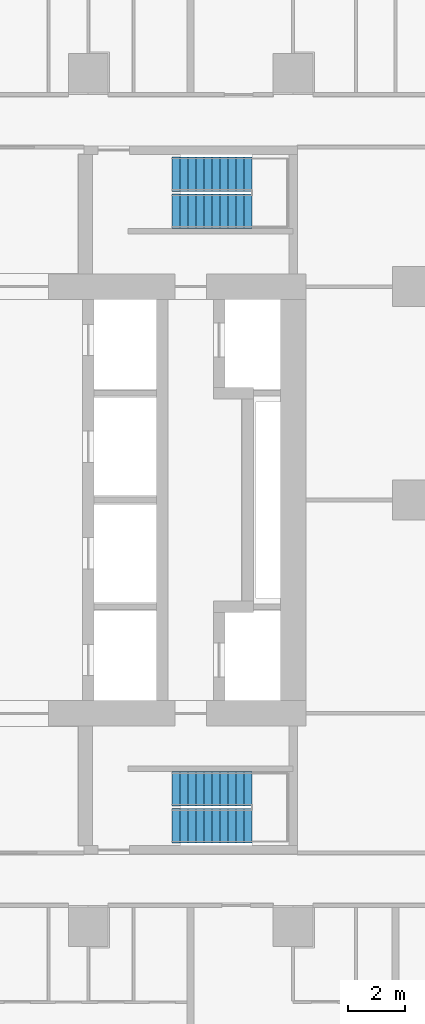
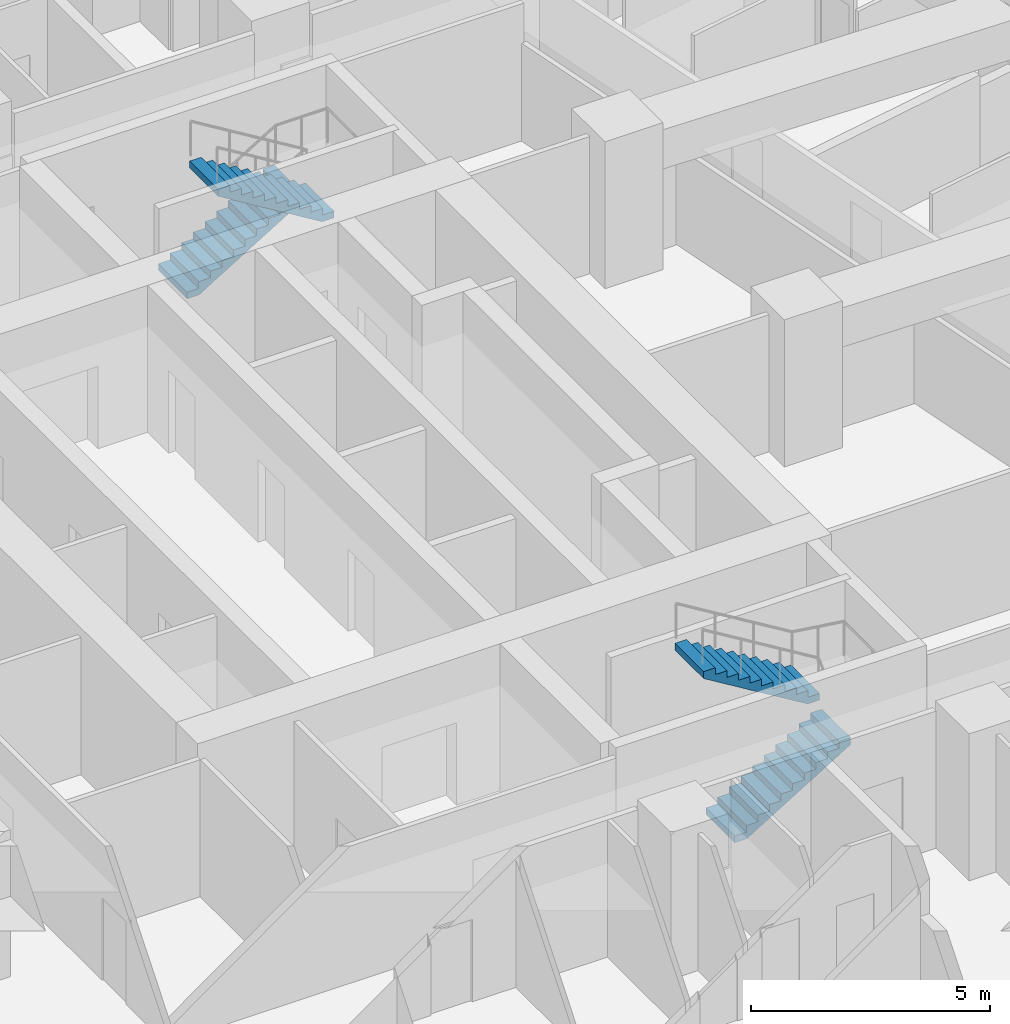
# One storey, part 18 of 19: 4 stair flights, 2 elements without a shape of their own.
"""IFC4 building model written with IfcOpenShell, lengths in metres."""

import ifcopenshell
import ifcopenshell.guid

model = None  # the IFC model being written
_history = None  # IfcOwnerHistory: only IFC2X3 demands one
_inside = {}  # id of a spatial element -> (the spatial element, [elements in it])
_under = {}  # id of a project, library or spatial element -> (it, [spatial elements below it])
_declared = {}  # id of a project -> (the project, [libraries it declares])
_typed = {}  # id of a type object -> (the type object, [elements of that type])
_made_of = {}  # id of a material, layer set ... -> (it, [elements and type objects made of it])


def new_model(schema):
    """Start an empty IFC model of exactly this schema.

    Asked for "IFC4X3", IfcOpenShell would pick the latest addendum, in which some entities
    have other attributes; the version numbers below select the first issue.
    IFC2X3 requires an IfcOwnerHistory on every rooted entity: one is made here for all.
    """
    global model, _history
    if schema == "IFC4X3":
        model = ifcopenshell.file(schema_version=(4, 3, 0, 0))
    else:
        model = ifcopenshell.file(schema=schema)
    _inside.clear()
    _under.clear()
    _declared.clear()
    _typed.clear()
    _made_of.clear()
    _history = None
    if model.schema == "IFC2X3":
        org = make("IfcOrganization", Name="unknown")
        user = make(
            "IfcPersonAndOrganization",
            ThePerson=make("IfcPerson", FamilyName="unknown"),
            TheOrganization=org,
        )
        app = make(
            "IfcApplication",
            ApplicationDeveloper=org,
            Version="unknown",
            ApplicationFullName="unknown",
            ApplicationIdentifier="unknown",
        )
        _history = make(
            "IfcOwnerHistory",
            OwningUser=user,
            OwningApplication=app,
            ChangeAction="ADDED",
            CreationDate=0,
        )
    return model


def make(cls, **values):
    """One entity of the class cls with the attributes given. An attribute that is None is left unset."""
    return model.create_entity(
        cls, **{name: value for name, value in values.items() if value is not None}
    )


def rooted(cls, **values):
    """An entity with a GlobalId (a new one), such as an element, a storey or a relation."""
    return make(cls, GlobalId=ifcopenshell.guid.new(), OwnerHistory=_history, **values)


def si_unit(unit_type, name, prefix=None):
    """IfcSIUnit, for example si_unit("LENGTHUNIT", "METRE", prefix="MILLI")."""
    return make("IfcSIUnit", UnitType=unit_type, Prefix=prefix, Name=name)


def assignment(units):
    """IfcUnitAssignment: the units of a project."""
    return None if units is None else make("IfcUnitAssignment", Units=units)


def point(xyz):
    """IfcCartesianPoint."""
    return None if xyz is None else make("IfcCartesianPoint", Coordinates=xyz)


def direction(xyz):
    """IfcDirection."""
    return None if xyz is None else make("IfcDirection", DirectionRatios=xyz)


def frame(location, z_axis=None, x_axis=None):
    """IfcAxis2Placement3D, a coordinate frame: its origin and axes. An axis left out is left unset."""
    return make(
        "IfcAxis2Placement3D",
        Location=point(location),
        Axis=direction(z_axis),
        RefDirection=direction(x_axis),
    )


def origin():
    """The frame at (0, 0, 0) with its axes left unset."""
    return frame((0.0, 0.0, 0.0))


def place(relative_to, where):
    """IfcLocalPlacement: puts the frame where relative to a parent placement (None: the world)."""
    return make(
        "IfcLocalPlacement", PlacementRelTo=relative_to, RelativePlacement=where
    )


def context(
    kind, dimensions, precision=None, world=None, true_north=None, identifier=None
):
    """IfcGeometricRepresentationContext, for example the 3D "Model" context."""
    return make(
        "IfcGeometricRepresentationContext",
        ContextIdentifier=identifier,
        ContextType=kind,
        CoordinateSpaceDimension=dimensions,
        Precision=precision,
        WorldCoordinateSystem=world,
        TrueNorth=true_north,
    )


def subcontext(parent, identifier, kind, view, scale=None):
    """IfcGeometricRepresentationSubContext, for example "Body" below "Model"."""
    return make(
        "IfcGeometricRepresentationSubContext",
        ContextIdentifier=identifier,
        ContextType=kind,
        ParentContext=parent,
        TargetScale=scale,
        TargetView=view,
    )


def project(units=None, contexts=None):
    """IfcProject with its units and contexts."""
    return rooted(
        "IfcProject",
        Name="project",
        RepresentationContexts=contexts,
        UnitsInContext=assignment(units),
    )


def spatial(cls, under=None, at=None, **own):
    """A site, building, storey or space (cls), placed at a placement, below another one or the project."""
    s = rooted(cls, ObjectPlacement=at, **own)
    if under is not None:
        _under.setdefault(under.id(), (under, []))[1].append(s)
    return s


def point_list(points):
    """IfcCartesianPointList2D or 3D."""
    cls = (
        "IfcCartesianPointList2D" if len(points[0]) == 2 else "IfcCartesianPointList3D"
    )
    return make(cls, CoordList=points)


def triangles(points, corners, closed=None, point_numbers=None):
    """IfcTriangulatedFaceSet: each triangle names its three corners, points numbered from 1."""
    return make(
        "IfcTriangulatedFaceSet",
        Coordinates=point_list(points),
        Closed=closed,
        CoordIndex=corners,
        PnIndex=point_numbers,
    )


def shape(context_of_items, identifier, shape_type, items):
    """IfcShapeRepresentation: the items that make up one representation, for example the "Body"."""
    return make(
        "IfcShapeRepresentation",
        ContextOfItems=context_of_items,
        RepresentationIdentifier=identifier,
        RepresentationType=shape_type,
        Items=items,
    )


def material(Name=None, Category=None):
    """IfcMaterial."""
    return make("IfcMaterial", Name=Name, Category=Category)


def made_of(thing, what):
    """Note that an element or type object is made of a material, layer set ...; save() writes the relation."""
    if what is not None:
        _made_of.setdefault(what.id(), (what, []))[1].append(thing)
    return thing


def type_object(cls, material=None, **own):
    """A type object (cls), such as IfcWallType, which elements share."""
    return made_of(rooted(cls, **own), material)


def element(
    cls,
    number,
    at=None,
    inside=None,
    cuts=None,
    type_object=None,
    material=None,
    context=None,
    identifier="Body",
    shape_type=None,
    held_by="IfcProductDefinitionShape",
    body=None,
    shapes=None,
    **own,
):
    """One element of the class cls, such as IfcWall. Its Tag is "e" and its number.

    at: its placement. inside: the storey or other place that contains it. cuts: it is an
    opening in that element (IfcRelVoidsElement). A single representation is given by context,
    identifier, shape_type and body (its items); several are given by shapes. held_by: the class
    of the entity that holds the representations. save() writes the other relations.
    """
    e = rooted(cls, Tag="e%d" % number, ObjectPlacement=at, **own)
    if body is not None:
        shapes = [shape(context, identifier, shape_type, body)]
    if shapes is not None:
        e.Representation = make(held_by, Representations=shapes)
    if inside is not None:
        _inside.setdefault(inside.id(), (inside, []))[1].append(e)
    if cuts is not None:
        rooted(
            "IfcRelVoidsElement", RelatingBuildingElement=cuts, RelatedOpeningElement=e
        )
    if type_object is not None:
        _typed.setdefault(type_object.id(), (type_object, []))[1].append(e)
    return made_of(e, material)


def aggregate(whole, parts):
    """IfcRelAggregates: a whole, such as a stair, and the parts it consists of."""
    return rooted("IfcRelAggregates", RelatingObject=whole, RelatedObjects=parts)


def save(model, path):
    """Write the relations noted so far, then the file.

    IfcRelAggregates (storeys below a building ...), IfcRelContainedInSpatialStructure (elements
    in a storey), IfcRelDefinesByType, IfcRelAssociatesMaterial and IfcRelDeclares: one each for
    every whole, place, type object, material and project.
    """
    for whole, parts in _under.values():
        aggregate(whole, parts)
    for where, things in _inside.values():
        rooted(
            "IfcRelContainedInSpatialStructure",
            RelatedElements=things,
            RelatingStructure=where,
        )
    for kind, things in _typed.values():
        rooted("IfcRelDefinesByType", RelatedObjects=things, RelatingType=kind)
    for what, things in _made_of.values():
        rooted("IfcRelAssociatesMaterial", RelatedObjects=things, RelatingMaterial=what)
    for by, libraries in _declared.values():
        rooted("IfcRelDeclares", RelatingContext=by, RelatedDefinitions=libraries)
    model.write(path)


model = new_model("IFC4")

# Units and contexts
model_context = context("Model", 3, precision=1e-05, world=origin(), true_north=direction((0.0, 1.0)))
body_context = subcontext(model_context, "Body", "Model", "MODEL_VIEW")
ifc_project = project(units=[si_unit("LENGTHUNIT", "METRE"), si_unit("AREAUNIT", "SQUARE_METRE"), si_unit("VOLUMEUNIT", "CUBIC_METRE"), si_unit("PLANEANGLEUNIT", "RADIAN"), si_unit("MASSUNIT", "GRAM", prefix="KILO")], contexts=[model_context])

# Site, building, storey
site_placement = place(None, origin())
site = spatial("IfcSite", under=ifc_project, at=site_placement, CompositionType="ELEMENT")
building_placement = place(site_placement, origin())
building = spatial("IfcBuilding", under=site, at=building_placement, Name="Sheger Commons Tower", CompositionType="ELEMENT")
storey_placement = place(building_placement, frame((0.0, 0.0, 219.949951171875)))
storey = spatial("IfcBuildingStorey", under=building, at=storey_placement, Name="L56", CompositionType="ELEMENT", Elevation=219.949951171875)

# Stair, stair flights
ifc_material_1 = material(Name="Concrete C35/45", Category="concrete")
stair_type = type_object("IfcStairType", Name="HALF-TURN STAIR 1200 RISE 3750", PredefinedType="HALF_TURN_STAIR", material=ifc_material_1)
stair_1_placement = place(storey_placement, origin())
stair_1 = element("IfcStair", 1, at=stair_1_placement, inside=storey, type_object=stair_type, Name="Stair S1 L56", PredefinedType="HALF_TURN_STAIR")
ifc_material_2 = material(Name="Concrete C35/45", Category="concrete")
stair_flight_type = type_object("IfcStairFlightType", Name="STAIR FLIGHT 1200 11 RISERS OF 170", PredefinedType="STRAIGHT", material=ifc_material_2)
stair_flight_1_placement = place(storey_placement, frame((24.550048828125, 11.050048828125, 0.0), z_axis=(0.0, 0.0, 1.0), x_axis=(1.0, 0.0, 0.0)))
stair_flight_1 = element("IfcStairFlight", 2, at=stair_flight_1_placement, type_object=stair_flight_type, Name="S1 flight 1", NumberOfRisers=11, NumberOfTreads=10, PredefinedType="STRAIGHT", RiserHeight=0.170454545, TreadLength=0.28, context=body_context, shape_type="Tessellation", body=[
    triangles([(0.0, 0.5999755859375, 0.0), (0.0, 0.5999755859375, 0.17041015625), (0.280029296875, 0.5999755859375, 0.17041015625), (0.280029296875, 0.5999755859375, 0.3408203125), (0.56005859375, 0.5999755859375, 0.3408203125), (0.56005859375, 0.5999755859375, 0.511474609375), (0.840087890625, 0.5999755859375, 0.511474609375), (0.840087890625, 0.5999755859375, 0.681884765625), (1.1201171875, 0.5999755859375, 0.681884765625), (1.1201171875, 0.5999755859375, 0.852294921875), (1.39990234375, 0.5999755859375, 0.852294921875), (1.39990234375, 0.5999755859375, 1.022705078125), (1.679931640625, 0.5999755859375, 1.022705078125), (1.679931640625, 0.5999755859375, 1.193115234375), (1.9599609375, 0.5999755859375, 1.193115234375), (1.9599609375, 0.5999755859375, 1.363525390625), (2.239990234375, 0.5999755859375, 1.363525390625), (2.239990234375, 0.5999755859375, 1.5341796875), (2.52001953125, 0.5999755859375, 1.5341796875), (2.52001953125, 0.5999755859375, 1.70458984375), (2.800048828125, 0.5999755859375, 1.70458984375), (2.800048828125, 0.5999755859375, 1.529052734375), (0.288330078125, 0.5999755859375, 0.0), (0.0, -0.5999755859375, 0.0), (0.0, -0.5999755859375, 0.17041015625), (0.280029296875, -0.5999755859375, 0.17041015625), (0.280029296875, -0.5999755859375, 0.3408203125), (0.56005859375, -0.5999755859375, 0.3408203125), (0.56005859375, -0.5999755859375, 0.511474609375), (0.840087890625, -0.5999755859375, 0.511474609375), (0.840087890625, -0.5999755859375, 0.681884765625), (1.1201171875, -0.5999755859375, 0.681884765625), (1.1201171875, -0.5999755859375, 0.852294921875), (1.39990234375, -0.5999755859375, 0.852294921875), (1.39990234375, -0.5999755859375, 1.022705078125), (1.679931640625, -0.5999755859375, 1.022705078125), (1.679931640625, -0.5999755859375, 1.193115234375), (1.9599609375, -0.5999755859375, 1.193115234375), (1.9599609375, -0.5999755859375, 1.363525390625), (2.239990234375, -0.5999755859375, 1.363525390625), (2.239990234375, -0.5999755859375, 1.5341796875), (2.52001953125, -0.5999755859375, 1.5341796875), (2.52001953125, -0.5999755859375, 1.70458984375), (2.800048828125, -0.5999755859375, 1.70458984375), (2.800048828125, -0.5999755859375, 1.529052734375), (0.288330078125, -0.5999755859375, 0.0), (0.0, 0.0, 0.085205078125), (0.1400146484375, 0.0, 0.17041015625), (0.280029296875, 0.0, 0.255615234375), (0.4200439453125, 0.0, 0.3408203125), (0.56005859375, 0.0, 0.4261474609375), (0.7000732421875, 0.0, 0.511474609375), (0.840087890625, 0.0, 0.5966796875), (0.9801025390625, 0.0, 0.681884765625), (1.1201171875, 0.0, 0.76708984375), (1.260009765625, 0.0, 0.852294921875), (1.39990234375, 0.0, 0.9375), (1.5399169921875, 0.0, 1.022705078125), (1.679931640625, 0.0, 1.10791015625), (1.8199462890625, 0.0, 1.193115234375), (1.9599609375, 0.0, 1.2783203125), (2.0999755859375, 0.0, 1.363525390625), (2.239990234375, 0.0, 1.4488525390625), (2.3800048828125, 0.0, 1.5341796875), (2.52001953125, 0.0, 1.619384765625), (2.6600341796875, 0.0, 1.70458984375), (2.800048828125, 0.0, 1.6168212890625), (1.544189453125, 0.0, 0.7645263671875), (0.1441650390625, 0.0, 0.0)], [[1, 22, 23], [24, 46, 45], [22, 20, 21], [45, 44, 43], [22, 19, 20], [45, 43, 42], [22, 18, 19], [45, 42, 41], [22, 17, 18], [45, 41, 40], [17, 15, 16], [40, 39, 38], [22, 15, 17], [45, 40, 38], [15, 13, 14], [38, 37, 36], [22, 13, 15], [45, 38, 36], [13, 11, 12], [36, 35, 34], [22, 11, 13], [45, 36, 34], [11, 9, 10], [34, 33, 32], [22, 9, 11], [45, 34, 32], [9, 7, 8], [32, 31, 30], [22, 7, 9], [45, 32, 30], [7, 5, 6], [30, 29, 28], [22, 5, 7], [45, 30, 28], [5, 3, 4], [28, 27, 26], [22, 3, 5], [45, 28, 26], [1, 3, 22], [24, 45, 26], [3, 1, 2], [26, 25, 24], [1, 47, 2], [2, 47, 25], [25, 47, 24], [24, 47, 1], [2, 48, 3], [3, 48, 26], [26, 48, 25], [25, 48, 2], [3, 49, 4], [4, 49, 27], [27, 49, 26], [26, 49, 3], [4, 50, 5], [5, 50, 28], [28, 50, 27], [27, 50, 4], [5, 51, 6], [6, 51, 29], [29, 51, 28], [28, 51, 5], [6, 52, 7], [7, 52, 30], [30, 52, 29], [29, 52, 6], [7, 53, 8], [8, 53, 31], [31, 53, 30], [30, 53, 7], [8, 54, 9], [9, 54, 32], [32, 54, 31], [31, 54, 8], [9, 55, 10], [10, 55, 33], [33, 55, 32], [32, 55, 9], [10, 56, 11], [11, 56, 34], [34, 56, 33], [33, 56, 10], [11, 57, 12], [12, 57, 35], [35, 57, 34], [34, 57, 11], [12, 58, 13], [13, 58, 36], [36, 58, 35], [35, 58, 12], [13, 59, 14], [14, 59, 37], [37, 59, 36], [36, 59, 13], [14, 60, 15], [15, 60, 38], [38, 60, 37], [37, 60, 14], [15, 61, 16], [16, 61, 39], [39, 61, 38], [38, 61, 15], [16, 62, 17], [17, 62, 40], [40, 62, 39], [39, 62, 16], [17, 63, 18], [18, 63, 41], [41, 63, 40], [40, 63, 17], [18, 64, 19], [19, 64, 42], [42, 64, 41], [41, 64, 18], [19, 65, 20], [20, 65, 43], [43, 65, 42], [42, 65, 19], [20, 66, 21], [21, 66, 44], [44, 66, 43], [43, 66, 20], [21, 67, 22], [22, 67, 45], [45, 67, 44], [44, 67, 21], [22, 68, 23], [23, 68, 46], [46, 68, 45], [45, 68, 22], [23, 69, 1], [1, 69, 24], [24, 69, 46], [46, 69, 23]], closed=True),
])
stair_flight_2_placement = place(storey_placement, frame((27.35009765625, 12.35009765625, 1.875), z_axis=(0.0, 0.0, 1.0), x_axis=(-1.0, 0.0, 0.0)))
stair_flight_2 = element("IfcStairFlight", 3, at=stair_flight_2_placement, type_object=stair_flight_type, Name="S1 flight 2", NumberOfRisers=11, NumberOfTreads=10, PredefinedType="STRAIGHT", RiserHeight=0.170454545, TreadLength=0.28, context=body_context, shape_type="Tessellation", body=[
    triangles([(0.0, 0.5999755859375, 0.0), (0.0, 0.5999755859375, 0.17041015625), (0.280029296875, 0.5999755859375, 0.17041015625), (0.280029296875, 0.5999755859375, 0.3408203125), (0.56005859375, 0.5999755859375, 0.3408203125), (0.56005859375, 0.5999755859375, 0.511474609375), (0.840087890625, 0.5999755859375, 0.511474609375), (0.840087890625, 0.5999755859375, 0.681884765625), (1.1201171875, 0.5999755859375, 0.681884765625), (1.1201171875, 0.5999755859375, 0.852294921875), (1.39990234375, 0.5999755859375, 0.852294921875), (1.39990234375, 0.5999755859375, 1.022705078125), (1.679931640625, 0.5999755859375, 1.022705078125), (1.679931640625, 0.5999755859375, 1.193115234375), (1.9599609375, 0.5999755859375, 1.193115234375), (1.9599609375, 0.5999755859375, 1.363525390625), (2.239990234375, 0.5999755859375, 1.363525390625), (2.239990234375, 0.5999755859375, 1.5341796875), (2.52001953125, 0.5999755859375, 1.5341796875), (2.52001953125, 0.5999755859375, 1.70458984375), (2.800048828125, 0.5999755859375, 1.70458984375), (2.800048828125, 0.5999755859375, 1.529052734375), (0.288330078125, 0.5999755859375, 0.0), (0.0, -0.5999755859375, 0.0), (0.0, -0.5999755859375, 0.17041015625), (0.280029296875, -0.5999755859375, 0.17041015625), (0.280029296875, -0.5999755859375, 0.3408203125), (0.56005859375, -0.5999755859375, 0.3408203125), (0.56005859375, -0.5999755859375, 0.511474609375), (0.840087890625, -0.5999755859375, 0.511474609375), (0.840087890625, -0.5999755859375, 0.681884765625), (1.1201171875, -0.5999755859375, 0.681884765625), (1.1201171875, -0.5999755859375, 0.852294921875), (1.39990234375, -0.5999755859375, 0.852294921875), (1.39990234375, -0.5999755859375, 1.022705078125), (1.679931640625, -0.5999755859375, 1.022705078125), (1.679931640625, -0.5999755859375, 1.193115234375), (1.9599609375, -0.5999755859375, 1.193115234375), (1.9599609375, -0.5999755859375, 1.363525390625), (2.239990234375, -0.5999755859375, 1.363525390625), (2.239990234375, -0.5999755859375, 1.5341796875), (2.52001953125, -0.5999755859375, 1.5341796875), (2.52001953125, -0.5999755859375, 1.70458984375), (2.800048828125, -0.5999755859375, 1.70458984375), (2.800048828125, -0.5999755859375, 1.529052734375), (0.288330078125, -0.5999755859375, 0.0), (0.0, 0.0, 0.085205078125), (0.1400146484375, 0.0, 0.17041015625), (0.280029296875, 0.0, 0.255615234375), (0.4200439453125, 0.0, 0.3408203125), (0.56005859375, 0.0, 0.4261474609375), (0.7000732421875, 0.0, 0.511474609375), (0.840087890625, 0.0, 0.5966796875), (0.9801025390625, 0.0, 0.681884765625), (1.1201171875, 0.0, 0.76708984375), (1.260009765625, 0.0, 0.852294921875), (1.39990234375, 0.0, 0.9375), (1.5399169921875, 0.0, 1.022705078125), (1.679931640625, 0.0, 1.10791015625), (1.8199462890625, 0.0, 1.193115234375), (1.9599609375, 0.0, 1.2783203125), (2.0999755859375, 0.0, 1.363525390625), (2.239990234375, 0.0, 1.4488525390625), (2.3800048828125, 0.0, 1.5341796875), (2.52001953125, 0.0, 1.619384765625), (2.6600341796875, 0.0, 1.70458984375), (2.800048828125, 0.0, 1.6168212890625), (1.544189453125, 0.0, 0.7645263671875), (0.1441650390625, 0.0, 0.0)], [[1, 22, 23], [24, 46, 45], [22, 20, 21], [45, 44, 43], [22, 19, 20], [45, 43, 42], [22, 18, 19], [45, 42, 41], [22, 17, 18], [45, 41, 40], [17, 15, 16], [40, 39, 38], [22, 15, 17], [45, 40, 38], [15, 13, 14], [38, 37, 36], [22, 13, 15], [45, 38, 36], [13, 11, 12], [36, 35, 34], [22, 11, 13], [45, 36, 34], [11, 9, 10], [34, 33, 32], [22, 9, 11], [45, 34, 32], [9, 7, 8], [32, 31, 30], [22, 7, 9], [45, 32, 30], [7, 5, 6], [30, 29, 28], [22, 5, 7], [45, 30, 28], [5, 3, 4], [28, 27, 26], [22, 3, 5], [45, 28, 26], [1, 3, 22], [24, 45, 26], [3, 1, 2], [26, 25, 24], [1, 47, 2], [2, 47, 25], [25, 47, 24], [24, 47, 1], [2, 48, 3], [3, 48, 26], [26, 48, 25], [25, 48, 2], [3, 49, 4], [4, 49, 27], [27, 49, 26], [26, 49, 3], [4, 50, 5], [5, 50, 28], [28, 50, 27], [27, 50, 4], [5, 51, 6], [6, 51, 29], [29, 51, 28], [28, 51, 5], [6, 52, 7], [7, 52, 30], [30, 52, 29], [29, 52, 6], [7, 53, 8], [8, 53, 31], [31, 53, 30], [30, 53, 7], [8, 54, 9], [9, 54, 32], [32, 54, 31], [31, 54, 8], [9, 55, 10], [10, 55, 33], [33, 55, 32], [32, 55, 9], [10, 56, 11], [11, 56, 34], [34, 56, 33], [33, 56, 10], [11, 57, 12], [12, 57, 35], [35, 57, 34], [34, 57, 11], [12, 58, 13], [13, 58, 36], [36, 58, 35], [35, 58, 12], [13, 59, 14], [14, 59, 37], [37, 59, 36], [36, 59, 13], [14, 60, 15], [15, 60, 38], [38, 60, 37], [37, 60, 14], [15, 61, 16], [16, 61, 39], [39, 61, 38], [38, 61, 15], [16, 62, 17], [17, 62, 40], [40, 62, 39], [39, 62, 16], [17, 63, 18], [18, 63, 41], [41, 63, 40], [40, 63, 17], [18, 64, 19], [19, 64, 42], [42, 64, 41], [41, 64, 18], [19, 65, 20], [20, 65, 43], [43, 65, 42], [42, 65, 19], [20, 66, 21], [21, 66, 44], [44, 66, 43], [43, 66, 20], [21, 67, 22], [22, 67, 45], [45, 67, 44], [44, 67, 21], [22, 68, 23], [23, 68, 46], [46, 68, 45], [45, 68, 22], [23, 69, 1], [1, 69, 24], [24, 69, 46], [46, 69, 23]], closed=True),
])
aggregate(stair_1, [stair_flight_1, stair_flight_2])

stair_2_placement = place(storey_placement, origin())
stair_2 = element("IfcStair", 4, at=stair_2_placement, inside=storey, type_object=stair_type, Name="Stair S2 L56", PredefinedType="HALF_TURN_STAIR")
stair_flight_3_placement = place(storey_placement, frame((24.550048828125, 33.949951171875, 0.0), z_axis=(0.0, 0.0, 1.0), x_axis=(1.0, 0.0, 0.0)))
stair_flight_3 = element("IfcStairFlight", 5, at=stair_flight_3_placement, type_object=stair_flight_type, Name="S2 flight 1", NumberOfRisers=11, NumberOfTreads=10, PredefinedType="STRAIGHT", RiserHeight=0.170454545, TreadLength=0.28, context=body_context, shape_type="Tessellation", body=[
    triangles([(0.0, 0.5999755859375, 0.0), (0.0, 0.5999755859375, 0.17041015625), (0.280029296875, 0.5999755859375, 0.17041015625), (0.280029296875, 0.5999755859375, 0.3408203125), (0.56005859375, 0.5999755859375, 0.3408203125), (0.56005859375, 0.5999755859375, 0.511474609375), (0.840087890625, 0.5999755859375, 0.511474609375), (0.840087890625, 0.5999755859375, 0.681884765625), (1.1201171875, 0.5999755859375, 0.681884765625), (1.1201171875, 0.5999755859375, 0.852294921875), (1.39990234375, 0.5999755859375, 0.852294921875), (1.39990234375, 0.5999755859375, 1.022705078125), (1.679931640625, 0.5999755859375, 1.022705078125), (1.679931640625, 0.5999755859375, 1.193115234375), (1.9599609375, 0.5999755859375, 1.193115234375), (1.9599609375, 0.5999755859375, 1.363525390625), (2.239990234375, 0.5999755859375, 1.363525390625), (2.239990234375, 0.5999755859375, 1.5341796875), (2.52001953125, 0.5999755859375, 1.5341796875), (2.52001953125, 0.5999755859375, 1.70458984375), (2.800048828125, 0.5999755859375, 1.70458984375), (2.800048828125, 0.5999755859375, 1.529052734375), (0.288330078125, 0.5999755859375, 0.0), (0.0, -0.5999755859375, 0.0), (0.0, -0.5999755859375, 0.17041015625), (0.280029296875, -0.5999755859375, 0.17041015625), (0.280029296875, -0.5999755859375, 0.3408203125), (0.56005859375, -0.5999755859375, 0.3408203125), (0.56005859375, -0.5999755859375, 0.511474609375), (0.840087890625, -0.5999755859375, 0.511474609375), (0.840087890625, -0.5999755859375, 0.681884765625), (1.1201171875, -0.5999755859375, 0.681884765625), (1.1201171875, -0.5999755859375, 0.852294921875), (1.39990234375, -0.5999755859375, 0.852294921875), (1.39990234375, -0.5999755859375, 1.022705078125), (1.679931640625, -0.5999755859375, 1.022705078125), (1.679931640625, -0.5999755859375, 1.193115234375), (1.9599609375, -0.5999755859375, 1.193115234375), (1.9599609375, -0.5999755859375, 1.363525390625), (2.239990234375, -0.5999755859375, 1.363525390625), (2.239990234375, -0.5999755859375, 1.5341796875), (2.52001953125, -0.5999755859375, 1.5341796875), (2.52001953125, -0.5999755859375, 1.70458984375), (2.800048828125, -0.5999755859375, 1.70458984375), (2.800048828125, -0.5999755859375, 1.529052734375), (0.288330078125, -0.5999755859375, 0.0), (0.0, 0.0, 0.085205078125), (0.1400146484375, 0.0, 0.17041015625), (0.280029296875, 0.0, 0.255615234375), (0.4200439453125, 0.0, 0.3408203125), (0.56005859375, 0.0, 0.4261474609375), (0.7000732421875, 0.0, 0.511474609375), (0.840087890625, 0.0, 0.5966796875), (0.9801025390625, 0.0, 0.681884765625), (1.1201171875, 0.0, 0.76708984375), (1.260009765625, 0.0, 0.852294921875), (1.39990234375, 0.0, 0.9375), (1.5399169921875, 0.0, 1.022705078125), (1.679931640625, 0.0, 1.10791015625), (1.8199462890625, 0.0, 1.193115234375), (1.9599609375, 0.0, 1.2783203125), (2.0999755859375, 0.0, 1.363525390625), (2.239990234375, 0.0, 1.4488525390625), (2.3800048828125, 0.0, 1.5341796875), (2.52001953125, 0.0, 1.619384765625), (2.6600341796875, 0.0, 1.70458984375), (2.800048828125, 0.0, 1.6168212890625), (1.544189453125, 0.0, 0.7645263671875), (0.1441650390625, 0.0, 0.0)], [[1, 22, 23], [24, 46, 45], [22, 20, 21], [45, 44, 43], [22, 19, 20], [45, 43, 42], [22, 18, 19], [45, 42, 41], [22, 17, 18], [45, 41, 40], [17, 15, 16], [40, 39, 38], [22, 15, 17], [45, 40, 38], [15, 13, 14], [38, 37, 36], [22, 13, 15], [45, 38, 36], [13, 11, 12], [36, 35, 34], [22, 11, 13], [45, 36, 34], [11, 9, 10], [34, 33, 32], [22, 9, 11], [45, 34, 32], [9, 7, 8], [32, 31, 30], [22, 7, 9], [45, 32, 30], [7, 5, 6], [30, 29, 28], [22, 5, 7], [45, 30, 28], [5, 3, 4], [28, 27, 26], [22, 3, 5], [45, 28, 26], [1, 3, 22], [24, 45, 26], [3, 1, 2], [26, 25, 24], [1, 47, 2], [2, 47, 25], [25, 47, 24], [24, 47, 1], [2, 48, 3], [3, 48, 26], [26, 48, 25], [25, 48, 2], [3, 49, 4], [4, 49, 27], [27, 49, 26], [26, 49, 3], [4, 50, 5], [5, 50, 28], [28, 50, 27], [27, 50, 4], [5, 51, 6], [6, 51, 29], [29, 51, 28], [28, 51, 5], [6, 52, 7], [7, 52, 30], [30, 52, 29], [29, 52, 6], [7, 53, 8], [8, 53, 31], [31, 53, 30], [30, 53, 7], [8, 54, 9], [9, 54, 32], [32, 54, 31], [31, 54, 8], [9, 55, 10], [10, 55, 33], [33, 55, 32], [32, 55, 9], [10, 56, 11], [11, 56, 34], [34, 56, 33], [33, 56, 10], [11, 57, 12], [12, 57, 35], [35, 57, 34], [34, 57, 11], [12, 58, 13], [13, 58, 36], [36, 58, 35], [35, 58, 12], [13, 59, 14], [14, 59, 37], [37, 59, 36], [36, 59, 13], [14, 60, 15], [15, 60, 38], [38, 60, 37], [37, 60, 14], [15, 61, 16], [16, 61, 39], [39, 61, 38], [38, 61, 15], [16, 62, 17], [17, 62, 40], [40, 62, 39], [39, 62, 16], [17, 63, 18], [18, 63, 41], [41, 63, 40], [40, 63, 17], [18, 64, 19], [19, 64, 42], [42, 64, 41], [41, 64, 18], [19, 65, 20], [20, 65, 43], [43, 65, 42], [42, 65, 19], [20, 66, 21], [21, 66, 44], [44, 66, 43], [43, 66, 20], [21, 67, 22], [22, 67, 45], [45, 67, 44], [44, 67, 21], [22, 68, 23], [23, 68, 46], [46, 68, 45], [45, 68, 22], [23, 69, 1], [1, 69, 24], [24, 69, 46], [46, 69, 23]], closed=True),
])
stair_flight_4_placement = place(storey_placement, frame((27.35009765625, 32.64990234375, 1.875), z_axis=(0.0, 0.0, 1.0), x_axis=(-1.0, 0.0, 0.0)))
stair_flight_4 = element("IfcStairFlight", 6, at=stair_flight_4_placement, type_object=stair_flight_type, Name="S2 flight 2", NumberOfRisers=11, NumberOfTreads=10, PredefinedType="STRAIGHT", RiserHeight=0.170454545, TreadLength=0.28, context=body_context, shape_type="Tessellation", body=[
    triangles([(0.0, 0.5999755859375, 0.0), (0.0, 0.5999755859375, 0.17041015625), (0.280029296875, 0.5999755859375, 0.17041015625), (0.280029296875, 0.5999755859375, 0.3408203125), (0.56005859375, 0.5999755859375, 0.3408203125), (0.56005859375, 0.5999755859375, 0.511474609375), (0.840087890625, 0.5999755859375, 0.511474609375), (0.840087890625, 0.5999755859375, 0.681884765625), (1.1201171875, 0.5999755859375, 0.681884765625), (1.1201171875, 0.5999755859375, 0.852294921875), (1.39990234375, 0.5999755859375, 0.852294921875), (1.39990234375, 0.5999755859375, 1.022705078125), (1.679931640625, 0.5999755859375, 1.022705078125), (1.679931640625, 0.5999755859375, 1.193115234375), (1.9599609375, 0.5999755859375, 1.193115234375), (1.9599609375, 0.5999755859375, 1.363525390625), (2.239990234375, 0.5999755859375, 1.363525390625), (2.239990234375, 0.5999755859375, 1.5341796875), (2.52001953125, 0.5999755859375, 1.5341796875), (2.52001953125, 0.5999755859375, 1.70458984375), (2.800048828125, 0.5999755859375, 1.70458984375), (2.800048828125, 0.5999755859375, 1.529052734375), (0.288330078125, 0.5999755859375, 0.0), (0.0, -0.5999755859375, 0.0), (0.0, -0.5999755859375, 0.17041015625), (0.280029296875, -0.5999755859375, 0.17041015625), (0.280029296875, -0.5999755859375, 0.3408203125), (0.56005859375, -0.5999755859375, 0.3408203125), (0.56005859375, -0.5999755859375, 0.511474609375), (0.840087890625, -0.5999755859375, 0.511474609375), (0.840087890625, -0.5999755859375, 0.681884765625), (1.1201171875, -0.5999755859375, 0.681884765625), (1.1201171875, -0.5999755859375, 0.852294921875), (1.39990234375, -0.5999755859375, 0.852294921875), (1.39990234375, -0.5999755859375, 1.022705078125), (1.679931640625, -0.5999755859375, 1.022705078125), (1.679931640625, -0.5999755859375, 1.193115234375), (1.9599609375, -0.5999755859375, 1.193115234375), (1.9599609375, -0.5999755859375, 1.363525390625), (2.239990234375, -0.5999755859375, 1.363525390625), (2.239990234375, -0.5999755859375, 1.5341796875), (2.52001953125, -0.5999755859375, 1.5341796875), (2.52001953125, -0.5999755859375, 1.70458984375), (2.800048828125, -0.5999755859375, 1.70458984375), (2.800048828125, -0.5999755859375, 1.529052734375), (0.288330078125, -0.5999755859375, 0.0), (0.0, 0.0, 0.085205078125), (0.1400146484375, 0.0, 0.17041015625), (0.280029296875, 0.0, 0.255615234375), (0.4200439453125, 0.0, 0.3408203125), (0.56005859375, 0.0, 0.4261474609375), (0.7000732421875, 0.0, 0.511474609375), (0.840087890625, 0.0, 0.5966796875), (0.9801025390625, 0.0, 0.681884765625), (1.1201171875, 0.0, 0.76708984375), (1.260009765625, 0.0, 0.852294921875), (1.39990234375, 0.0, 0.9375), (1.5399169921875, 0.0, 1.022705078125), (1.679931640625, 0.0, 1.10791015625), (1.8199462890625, 0.0, 1.193115234375), (1.9599609375, 0.0, 1.2783203125), (2.0999755859375, 0.0, 1.363525390625), (2.239990234375, 0.0, 1.4488525390625), (2.3800048828125, 0.0, 1.5341796875), (2.52001953125, 0.0, 1.619384765625), (2.6600341796875, 0.0, 1.70458984375), (2.800048828125, 0.0, 1.6168212890625), (1.544189453125, 0.0, 0.7645263671875), (0.1441650390625, 0.0, 0.0)], [[1, 22, 23], [24, 46, 45], [22, 20, 21], [45, 44, 43], [22, 19, 20], [45, 43, 42], [22, 18, 19], [45, 42, 41], [22, 17, 18], [45, 41, 40], [17, 15, 16], [40, 39, 38], [22, 15, 17], [45, 40, 38], [15, 13, 14], [38, 37, 36], [22, 13, 15], [45, 38, 36], [13, 11, 12], [36, 35, 34], [22, 11, 13], [45, 36, 34], [11, 9, 10], [34, 33, 32], [22, 9, 11], [45, 34, 32], [9, 7, 8], [32, 31, 30], [22, 7, 9], [45, 32, 30], [7, 5, 6], [30, 29, 28], [22, 5, 7], [45, 30, 28], [5, 3, 4], [28, 27, 26], [22, 3, 5], [45, 28, 26], [1, 3, 22], [24, 45, 26], [3, 1, 2], [26, 25, 24], [1, 47, 2], [2, 47, 25], [25, 47, 24], [24, 47, 1], [2, 48, 3], [3, 48, 26], [26, 48, 25], [25, 48, 2], [3, 49, 4], [4, 49, 27], [27, 49, 26], [26, 49, 3], [4, 50, 5], [5, 50, 28], [28, 50, 27], [27, 50, 4], [5, 51, 6], [6, 51, 29], [29, 51, 28], [28, 51, 5], [6, 52, 7], [7, 52, 30], [30, 52, 29], [29, 52, 6], [7, 53, 8], [8, 53, 31], [31, 53, 30], [30, 53, 7], [8, 54, 9], [9, 54, 32], [32, 54, 31], [31, 54, 8], [9, 55, 10], [10, 55, 33], [33, 55, 32], [32, 55, 9], [10, 56, 11], [11, 56, 34], [34, 56, 33], [33, 56, 10], [11, 57, 12], [12, 57, 35], [35, 57, 34], [34, 57, 11], [12, 58, 13], [13, 58, 36], [36, 58, 35], [35, 58, 12], [13, 59, 14], [14, 59, 37], [37, 59, 36], [36, 59, 13], [14, 60, 15], [15, 60, 38], [38, 60, 37], [37, 60, 14], [15, 61, 16], [16, 61, 39], [39, 61, 38], [38, 61, 15], [16, 62, 17], [17, 62, 40], [40, 62, 39], [39, 62, 16], [17, 63, 18], [18, 63, 41], [41, 63, 40], [40, 63, 17], [18, 64, 19], [19, 64, 42], [42, 64, 41], [41, 64, 18], [19, 65, 20], [20, 65, 43], [43, 65, 42], [42, 65, 19], [20, 66, 21], [21, 66, 44], [44, 66, 43], [43, 66, 20], [21, 67, 22], [22, 67, 45], [45, 67, 44], [44, 67, 21], [22, 68, 23], [23, 68, 46], [46, 68, 45], [45, 68, 22], [23, 69, 1], [1, 69, 24], [24, 69, 46], [46, 69, 23]], closed=True),
])
aggregate(stair_2, [stair_flight_3, stair_flight_4])

save(model, "model.ifc")
